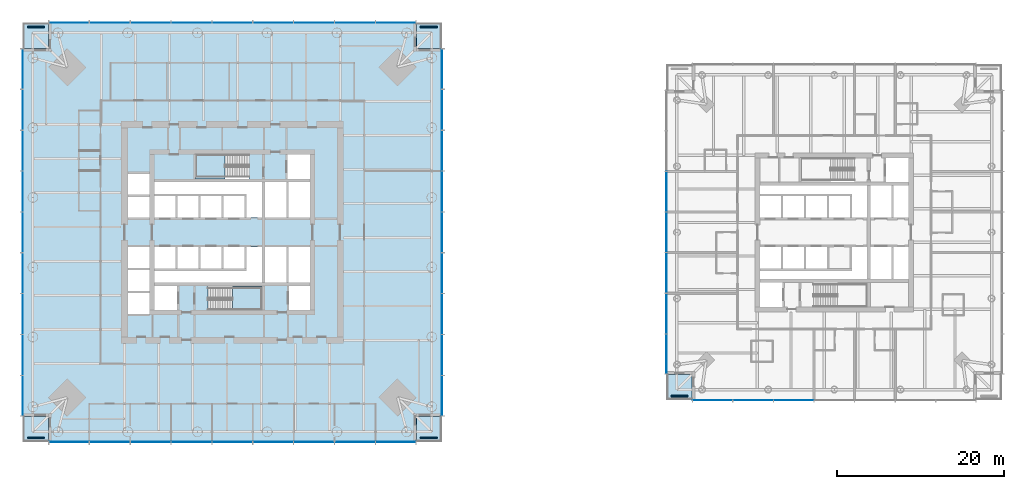
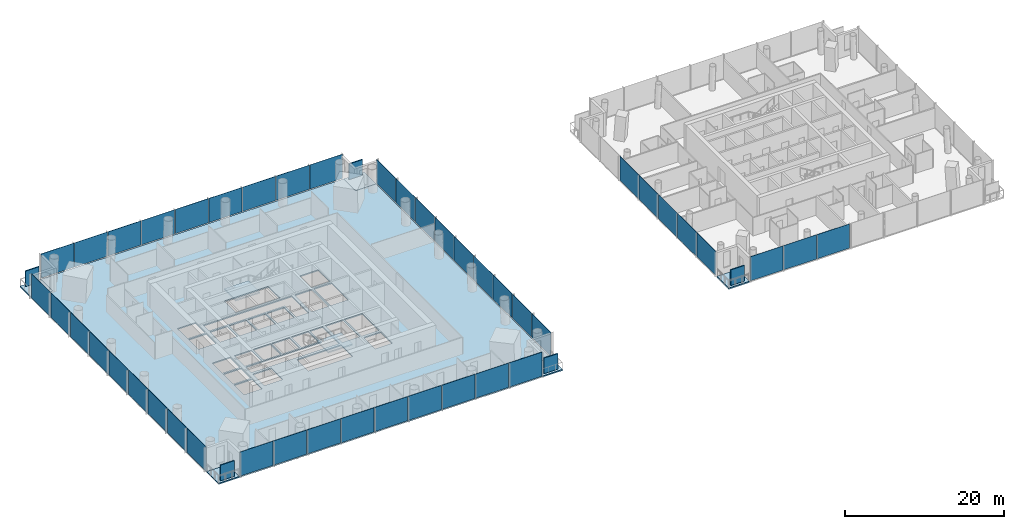
# One storey, part 7 of 19: 49 plates, 8 slabs, 8 elements without a shape of their own.
"""IFC4 building model written with IfcOpenShell, lengths in metres."""

from ifc_helpers import new_model, si_unit, direction, frame, origin, origin_2d, place, context, subcontext, project, spatial, polyline, rectangle, outline, extrude, material, layer, layer_set, type_object, element, aggregate, save


model = new_model("IFC4")

# Units and contexts
model_context = context("Model", 3, precision=1e-05, world=origin(), true_north=direction((0.0, 1.0)))
body_context = subcontext(model_context, "Body", "Model", "MODEL_VIEW")
ifc_project = project(units=[si_unit("LENGTHUNIT", "METRE"), si_unit("AREAUNIT", "SQUARE_METRE"), si_unit("VOLUMEUNIT", "CUBIC_METRE"), si_unit("PLANEANGLEUNIT", "RADIAN"), si_unit("MASSUNIT", "GRAM", prefix="KILO")], contexts=[model_context])

# Site, building, storey
site_placement = place(None, origin())
site = spatial("IfcSite", under=ifc_project, at=site_placement, CompositionType="ELEMENT")
building_placement = place(site_placement, origin())
building = spatial("IfcBuilding", under=site, at=building_placement, Name="Ostroluk Exchange", CompositionType="ELEMENT")
storey_placement = place(building_placement, frame((0.0, 0.0, 24.800048828125)))
storey = spatial("IfcBuildingStorey", under=building, at=storey_placement, Name="L05", CompositionType="ELEMENT", Elevation=24.800048828125)

# Curtain wall, plates
ifc_material_1 = material(Name="Laminated clear glass", Category="glass")
curtain_wall_type_1 = type_object("IfcCurtainWallType", Name="Hotel guest floor facade", PredefinedType="USERDEFINED", material=ifc_material_1)
curtain_wall_1_placement = place(storey_placement, origin())
curtain_wall_1 = element("IfcCurtainWall", 1, at=curtain_wall_1_placement, inside=storey, type_object=curtain_wall_type_1, Name="Hotel tower south facade L05", ObjectType="UNITISED CURTAIN WALL", PredefinedType="USERDEFINED")
ifc_material_2 = material(Name="Laminated clear glass", Category="glass")
ifc_layer_1 = layer(ifc_material_2, 0.0400390625)
ifc_layer_set_1 = layer_set([ifc_layer_1], Name="Acoustic laminated glazing 40")
plate_type_1 = type_object("IfcPlateType", Name="Acoustic laminated glazing 40", PredefinedType="CURTAIN_PANEL", material=ifc_layer_set_1)
plate_1_placement = place(storey_placement, frame((102.448486328125, 25.925048828125, 0.080078125), z_axis=(0.0, 0.0, 1.0), x_axis=(1.0, 0.0, 0.0)))
plate_1 = element("IfcPlate", 2, at=plate_1_placement, type_object=plate_type_1, Name="CW-H1 panel 1.1", PredefinedType="CURTAIN_PANEL", context=body_context, shape_type="SweptSolid", body=[
    extrude(rectangle(XDim=4.737060546875, YDim=0.0400390625, at=origin_2d()), origin(), (0.0, 0.0, 1.0), 3.719970703125),
])
plate_2_placement = place(storey_placement, frame((107.28564453125, 25.925048828125, 0.080078125), z_axis=(0.0, 0.0, 1.0), x_axis=(1.0, 0.0, 0.0)))
plate_2 = element("IfcPlate", 3, at=plate_2_placement, type_object=plate_type_1, Name="CW-H1 panel 2.1", PredefinedType="CURTAIN_PANEL", context=body_context, shape_type="SweptSolid", body=[
    extrude(rectangle(XDim=4.777099609375, YDim=0.0400390625, at=origin_2d()), origin(), (0.0, 0.0, 1.0), 3.719970703125),
])
plate_3_placement = place(storey_placement, frame((112.142822265625, 25.925048828125, 0.080078125), z_axis=(0.0, 0.0, 1.0), x_axis=(1.0, 0.0, 0.0)))
plate_3 = element("IfcPlate", 4, at=plate_3_placement, type_object=plate_type_1, Name="CW-H1 panel 3.1", PredefinedType="CURTAIN_PANEL", context=body_context, shape_type="SweptSolid", body=[
    extrude(rectangle(XDim=4.777099609375, YDim=0.0400390625, at=origin_2d()), origin(), (0.0, 0.0, 1.0), 3.719970703125),
])
aggregate(curtain_wall_1, [plate_1, plate_2, plate_3])

curtain_wall_2_placement = place(storey_placement, origin())
curtain_wall_2 = element("IfcCurtainWall", 5, at=curtain_wall_2_placement, inside=storey, type_object=curtain_wall_type_1, Name="Hotel tower west facade L05", ObjectType="UNITISED CURTAIN WALL", PredefinedType="USERDEFINED")
plate_4_placement = place(storey_placement, frame((96.925048828125, 50.857177734375, 0.080078125), z_axis=(0.0, 0.0, 1.0), x_axis=(0.0, -1.0, 0.0)))
plate_4 = element("IfcPlate", 6, at=plate_4_placement, type_object=plate_type_1, Name="CW-H1 panel 3.1", PredefinedType="CURTAIN_PANEL", context=body_context, shape_type="SweptSolid", body=[
    extrude(rectangle(XDim=4.777099609375, YDim=0.0400390625, at=origin_2d()), origin(), (0.0, 0.0, 1.0), 3.719970703125),
])
plate_5_placement = place(storey_placement, frame((96.925048828125, 46.0, 0.080078125), z_axis=(0.0, 0.0, 1.0), x_axis=(0.0, -1.0, 0.0)))
plate_5 = element("IfcPlate", 7, at=plate_5_placement, type_object=plate_type_1, Name="CW-H1 panel 4.1", PredefinedType="CURTAIN_PANEL", context=body_context, shape_type="SweptSolid", body=[
    extrude(rectangle(XDim=4.777099609375, YDim=0.0400390625, at=origin_2d()), origin(), (0.0, 0.0, 1.0), 3.719970703125),
])
plate_6_placement = place(storey_placement, frame((96.925048828125, 41.142822265625, 0.080078125), z_axis=(0.0, 0.0, 1.0), x_axis=(0.0, -1.0, 0.0)))
plate_6 = element("IfcPlate", 8, at=plate_6_placement, type_object=plate_type_1, Name="CW-H1 panel 5.1", PredefinedType="CURTAIN_PANEL", context=body_context, shape_type="SweptSolid", body=[
    extrude(rectangle(XDim=4.777099609375, YDim=0.0400390625, at=origin_2d()), origin(), (0.0, 0.0, 1.0), 3.719970703125),
])
plate_7_placement = place(storey_placement, frame((96.925048828125, 36.28564453125, 0.080078125), z_axis=(0.0, 0.0, 1.0), x_axis=(0.0, -1.0, 0.0)))
plate_7 = element("IfcPlate", 9, at=plate_7_placement, type_object=plate_type_1, Name="CW-H1 panel 6.1", PredefinedType="CURTAIN_PANEL", context=body_context, shape_type="SweptSolid", body=[
    extrude(rectangle(XDim=4.777099609375, YDim=0.0400390625, at=origin_2d()), origin(), (0.0, 0.0, 1.0), 3.719970703125),
])
plate_8_placement = place(storey_placement, frame((96.925048828125, 31.448486328125, 0.080078125), z_axis=(0.0, 0.0, 1.0), x_axis=(0.0, -1.0, 0.0)))
plate_8 = element("IfcPlate", 10, at=plate_8_placement, type_object=plate_type_1, Name="CW-H1 panel 7.1", PredefinedType="CURTAIN_PANEL", context=body_context, shape_type="SweptSolid", body=[
    extrude(rectangle(XDim=4.737060546875, YDim=0.0400390625, at=origin_2d()), origin(), (0.0, 0.0, 1.0), 3.719970703125),
])
aggregate(curtain_wall_2, [plate_4, plate_5, plate_6, plate_7, plate_8])

# Slabs
ifc_material_3 = material(Name="Concrete C35/45", Category="concrete")
ifc_layer_2 = layer(ifc_material_3, 0.179931640625)
ifc_layer_set_2 = layer_set([ifc_layer_2], Name="Balcony slab 180")
slab_type_1 = type_object("IfcSlabType", Name="Balcony slab 180", PredefinedType="USERDEFINED", material=ifc_layer_set_2)
slab_1_placement = place(storey_placement, frame((0.0, 0.0, -0.179931640625)))
element("IfcSlab", 11, at=slab_1_placement, inside=storey, type_object=slab_type_1, Name="Office tower SE corner balcony L05", ObjectType="BALCONY", PredefinedType="USERDEFINED", context=body_context, shape_type="SweptSolid", body=[
    extrude(outline(polyline([(67.0, 21.0), (70.0, 21.0), (70.0, 24.0), (67.0, 24.0), (67.0, 21.0)])), origin(), (0.0, 0.0, 1.0), 0.179931640625),
])
slab_2_placement = place(storey_placement, frame((0.0, 0.0, -0.179931640625)))
element("IfcSlab", 12, at=slab_2_placement, inside=storey, type_object=slab_type_1, Name="Office tower NE corner balcony L05", ObjectType="BALCONY", PredefinedType="USERDEFINED", context=body_context, shape_type="SweptSolid", body=[
    extrude(outline(polyline([(67.0, 68.0), (70.0, 68.0), (70.0, 71.0), (67.0, 71.0), (67.0, 68.0)])), origin(), (0.0, 0.0, 1.0), 0.179931640625),
])
slab_3_placement = place(storey_placement, frame((0.0, 0.0, -0.179931640625)))
element("IfcSlab", 13, at=slab_3_placement, inside=storey, type_object=slab_type_1, Name="Office tower NW corner balcony L05", ObjectType="BALCONY", PredefinedType="USERDEFINED", context=body_context, shape_type="SweptSolid", body=[
    extrude(outline(polyline([(20.0, 68.0), (23.0, 68.0), (23.0, 71.0), (20.0, 71.0), (20.0, 68.0)])), origin(), (0.0, 0.0, 1.0), 0.179931640625),
])
slab_4_placement = place(storey_placement, frame((0.0, 0.0, -0.179931640625)))
element("IfcSlab", 14, at=slab_4_placement, inside=storey, type_object=slab_type_1, Name="Office tower SW corner balcony L05", ObjectType="BALCONY", PredefinedType="USERDEFINED", context=body_context, shape_type="SweptSolid", body=[
    extrude(outline(polyline([(20.0, 21.0), (23.0, 21.0), (23.0, 24.0), (20.0, 24.0), (20.0, 21.0)])), origin(), (0.0, 0.0, 1.0), 0.179931640625),
])
ifc_material_4 = material(Name="Concrete C35/45", Category="concrete")
ifc_layer_3 = layer(ifc_material_4, 0.199951171875)
ifc_layer_set_3 = layer_set([ifc_layer_3], Name="Balcony slab 200")
slab_type_2 = type_object("IfcSlabType", Name="Balcony slab 200", PredefinedType="USERDEFINED", material=ifc_layer_set_3)
slab_5_placement = place(storey_placement, frame((0.0, 0.0, -0.199951171875)))
element("IfcSlab", 15, at=slab_5_placement, inside=storey, type_object=slab_type_2, Name="Hotel tower SW corner balcony L05", ObjectType="BALCONY", PredefinedType="USERDEFINED", context=body_context, shape_type="SweptSolid", body=[
    extrude(outline(polyline([(97.0, 26.0), (100.0, 26.0), (100.0, 29.0), (97.0, 29.0), (97.0, 26.0)])), origin(), (0.0, 0.0, 1.0), 0.199951171875),
])

# Plates
ifc_material_5 = material(Name="Steel S355 trellis with planting", Category="steel")
ifc_layer_4 = layer(ifc_material_5, 0.14990234375)
ifc_layer_set_4 = layer_set([ifc_layer_4], Name="Planted screen 150")
plate_type_2 = type_object("IfcPlateType", Name="Planted screen 150", PredefinedType="USERDEFINED", material=ifc_layer_set_4)
for number, where, z_axis, x_axis, name in (
    (16, (68.5, 21.425048828125, 0.0), (0.0, 0.0, 1.0), (1.0, 0.0, 0.0), "Office tower SE planted screen L05"),
    (17, (68.5, 70.574951171875, 0.0), (0.0, 0.0, 1.0), (1.0, 0.0, 0.0), "Office tower NE planted screen L05"),
    (18, (21.5, 70.574951171875, 0.0), (0.0, 0.0, 1.0), (1.0, 0.0, 0.0), "Office tower NW planted screen L05"),
    (19, (21.5, 21.425048828125, 0.0), (0.0, 0.0, 1.0), (1.0, 0.0, 0.0), "Office tower SW planted screen L05"),
    (20, (98.5, 26.425048828125, 0.0), (0.0, 0.0, 1.0), (1.0, 0.0, 0.0), "Hotel tower SW planted screen L05"),
):
    element("IfcPlate", number, at=place(storey_placement, frame(where, z_axis=z_axis, x_axis=x_axis)), inside=storey, type_object=plate_type_2, Name=name, ObjectType="PLANTED SCREEN", PredefinedType="USERDEFINED", context=body_context, shape_type="SweptSolid", body=[
        extrude(rectangle(XDim=2.0, YDim=0.14990234375, at=origin_2d()), origin(), (0.0, 0.0, 1.0), 2.39990234375),
    ])

# Stair, slab
ifc_material_6 = material(Name="Concrete C30/37", Category="concrete")
stair_type = type_object("IfcStairType", Name="Exit stair half turn 3800", PredefinedType="HALF_TURN_STAIR", material=ifc_material_6)
stair_1_placement = place(storey_placement, origin())
stair_1 = element("IfcStair", 21, at=stair_1_placement, inside=storey, type_object=stair_type, Name="Stair T1-S1 L05", PredefinedType="HALF_TURN_STAIR")
ifc_material_7 = material(Name="Concrete C30/37", Category="concrete")
ifc_layer_5 = layer(ifc_material_7, 0.199951171875)
ifc_layer_set_5 = layer_set([ifc_layer_5], Name="Stair landing 200")
slab_type_3 = type_object("IfcSlabType", Name="Stair landing 200", PredefinedType="LANDING", material=ifc_layer_set_5)
slab_6_placement = place(storey_placement, frame((0.0, 0.0, 1.699951171875)))
slab_6 = element("IfcSlab", 22, at=slab_6_placement, type_object=slab_type_3, Name="T1-S1 landing 1", PredefinedType="LANDING", context=body_context, shape_type="SweptSolid", body=[
    extrude(outline(polyline([(45.0, 36.699951171875), (45.0, 39.60009765625), (48.530029296875, 39.60009765625), (48.530029296875, 36.699951171875), (45.0, 36.699951171875)])), origin(), (0.0, 0.0, 1.0), 0.199951171875),
])
aggregate(stair_1, [slab_6])

stair_2_placement = place(storey_placement, origin())
stair_2 = element("IfcStair", 23, at=stair_2_placement, inside=storey, type_object=stair_type, Name="Stair T1-S2 L05", PredefinedType="HALF_TURN_STAIR")
slab_7_placement = place(storey_placement, frame((0.0, 0.0, 1.699951171875)))
slab_7 = element("IfcSlab", 24, at=slab_7_placement, type_object=slab_type_3, Name="T1-S2 landing 1", PredefinedType="LANDING", context=body_context, shape_type="SweptSolid", body=[
    extrude(outline(polyline([(44.1298828125, 52.39990234375), (44.1298828125, 55.300048828125), (40.60009765625, 55.300048828125), (40.60009765625, 52.39990234375), (44.1298828125, 52.39990234375)])), origin(), (0.0, 0.0, 1.0), 0.199951171875),
])
aggregate(stair_2, [slab_7])

# Slab
ifc_material_8 = material(Name="Concrete C35/45", Category="concrete")
ifc_layer_6 = layer(ifc_material_8, 0.179931640625)
ifc_layer_set_6 = layer_set([ifc_layer_6], Name="Tower floor slab 180 composite")
slab_type_4 = type_object("IfcSlabType", Name="Tower floor slab 180 composite", PredefinedType="FLOOR", material=ifc_layer_set_6)
slab_8_placement = place(storey_placement, frame((0.0, 0.0, -0.179931640625)))
element("IfcSlab", 25, at=slab_8_placement, inside=storey, type_object=slab_type_4, Name="Office tower floor slab L05", PredefinedType="FLOOR", context=body_context, shape_type="SweptSolid", body=[
    extrude(outline(polyline([(23.0, 21.0), (67.0, 21.0), (67.0, 24.0), (70.0, 24.0), (70.0, 68.0), (67.0, 68.0), (67.0, 71.0), (23.0, 71.0), (23.0, 68.0), (20.0, 68.0), (20.0, 24.0), (23.0, 24.0), (23.0, 21.0)]), holes=[polyline([(35.699951171875, 36.699951171875), (38.39990234375, 36.699951171875), (38.39990234375, 39.60009765625), (35.699951171875, 39.60009765625), (35.699951171875, 36.699951171875)]), polyline([(42.110107421875, 36.699951171875), (48.530029296875, 36.699951171875), (48.530029296875, 39.60009765625), (42.110107421875, 39.60009765625), (42.110107421875, 36.699951171875)]), polyline([(51.800048828125, 36.699951171875), (54.300048828125, 36.699951171875), (54.300048828125, 39.60009765625), (51.800048828125, 39.60009765625), (51.800048828125, 36.699951171875)]), polyline([(40.60009765625, 52.39990234375), (47.02001953125, 52.39990234375), (47.02001953125, 55.300048828125), (40.60009765625, 55.300048828125), (40.60009765625, 52.39990234375)]), polyline([(51.60009765625, 52.39990234375), (54.300048828125, 52.39990234375), (54.300048828125, 55.300048828125), (51.60009765625, 55.300048828125), (51.60009765625, 52.39990234375)]), polyline([(35.699951171875, 47.75), (38.199951171875, 47.75), (38.199951171875, 50.35009765625), (35.699951171875, 50.35009765625), (35.699951171875, 47.75)]), polyline([(38.449951171875, 47.75), (40.949951171875, 47.75), (40.949951171875, 50.35009765625), (38.449951171875, 50.35009765625), (38.449951171875, 47.75)]), polyline([(41.199951171875, 47.75), (43.699951171875, 47.75), (43.699951171875, 50.35009765625), (41.199951171875, 50.35009765625), (41.199951171875, 47.75)]), polyline([(43.949951171875, 47.75), (46.449951171875, 47.75), (46.449951171875, 50.35009765625), (43.949951171875, 50.35009765625), (43.949951171875, 47.75)]), polyline([(35.699951171875, 41.64990234375), (38.199951171875, 41.64990234375), (38.199951171875, 44.25), (35.699951171875, 44.25), (35.699951171875, 41.64990234375)]), polyline([(38.449951171875, 41.64990234375), (40.949951171875, 41.64990234375), (40.949951171875, 44.25), (38.449951171875, 44.25), (38.449951171875, 41.64990234375)]), polyline([(41.199951171875, 41.64990234375), (43.699951171875, 41.64990234375), (43.699951171875, 44.25), (41.199951171875, 44.25), (41.199951171875, 41.64990234375)]), polyline([(43.949951171875, 41.64990234375), (46.449951171875, 41.64990234375), (46.449951171875, 44.25), (43.949951171875, 44.25), (43.949951171875, 41.64990234375)]), polyline([(48.929931640625, 47.75), (51.489990234375, 47.75), (51.489990234375, 52.0), (48.929931640625, 52.0), (48.929931640625, 47.75)]), polyline([(51.739990234375, 47.75), (54.300048828125, 47.75), (54.300048828125, 52.0), (51.739990234375, 52.0), (51.739990234375, 47.75)]), polyline([(48.929931640625, 40.0), (51.489990234375, 40.0), (51.489990234375, 44.25), (48.929931640625, 44.25), (48.929931640625, 40.0)]), polyline([(51.739990234375, 40.0), (54.300048828125, 40.0), (54.300048828125, 44.25), (51.739990234375, 44.25), (51.739990234375, 40.0)]), polyline([(48.530029296875, 52.0), (48.530029296875, 47.75), (46.699951171875, 47.75), (46.699951171875, 50.60009765625), (35.699951171875, 50.60009765625), (35.699951171875, 52.0), (48.530029296875, 52.0)]), polyline([(35.699951171875, 40.0), (35.699951171875, 41.39990234375), (46.699951171875, 41.39990234375), (46.699951171875, 44.25), (48.530029296875, 44.25), (48.530029296875, 40.0), (35.699951171875, 40.0)]), polyline([(32.5, 36.25), (35.10009765625, 36.25), (35.10009765625, 38.75), (32.5, 38.75), (32.5, 36.25)]), polyline([(32.5, 39.0), (35.10009765625, 39.0), (35.10009765625, 41.5), (32.5, 41.5), (32.5, 39.0)]), polyline([(32.5, 41.75), (35.10009765625, 41.75), (35.10009765625, 44.25), (32.5, 44.25), (32.5, 41.75)]), polyline([(32.5, 47.75), (35.10009765625, 47.75), (35.10009765625, 50.25), (32.5, 50.25), (32.5, 47.75)]), polyline([(32.5, 50.5), (35.10009765625, 50.5), (35.10009765625, 53.0), (32.5, 53.0), (32.5, 50.5)])]), origin(), (0.0, 0.0, 1.0), 0.179931640625),
])

# Curtain wall, plates
ifc_material_9 = material(Name="Laminated clear glass", Category="glass")
curtain_wall_type_2 = type_object("IfcCurtainWallType", Name="Office tower facade", PredefinedType="USERDEFINED", material=ifc_material_9)
curtain_wall_3_placement = place(storey_placement, origin())
curtain_wall_3 = element("IfcCurtainWall", 26, at=curtain_wall_3_placement, inside=storey, type_object=curtain_wall_type_2, Name="Office tower south facade L05", ObjectType="UNITISED CURTAIN WALL", PredefinedType="USERDEFINED")
ifc_material_10 = material(Name="Laminated clear glass", Category="glass")
ifc_layer_7 = layer(ifc_material_10, 0.0439453125)
ifc_layer_set_7 = layer_set([ifc_layer_7], Name="Triple laminated clear glazing 44")
plate_type_3 = type_object("IfcPlateType", Name="Triple laminated clear glazing 44", PredefinedType="CURTAIN_PANEL", material=ifc_layer_set_7)
plate_9_placement = place(storey_placement, frame((25.46435546875, 20.925048828125, 0.080078125), z_axis=(0.0, 0.0, 1.0), x_axis=(1.0, 0.0, 0.0)))
plate_9 = element("IfcPlate", 27, at=plate_9_placement, type_object=plate_type_3, Name="CW-O1 panel 1.1", PredefinedType="CURTAIN_PANEL", context=body_context, shape_type="SweptSolid", body=[
    extrude(rectangle(XDim=4.768798828125, YDim=0.0439453125, at=origin_2d()), origin(), (0.0, 0.0, 1.0), 3.719970703125),
])
plate_10_placement = place(storey_placement, frame((30.333251953125, 20.925048828125, 0.080078125), z_axis=(0.0, 0.0, 1.0), x_axis=(1.0, 0.0, 0.0)))
plate_10 = element("IfcPlate", 28, at=plate_10_placement, type_object=plate_type_3, Name="CW-O1 panel 2.1", PredefinedType="CURTAIN_PANEL", context=body_context, shape_type="SweptSolid", body=[
    extrude(rectangle(XDim=4.808837890625, YDim=0.0439453125, at=origin_2d()), origin(), (0.0, 0.0, 1.0), 3.719970703125),
])
plate_11_placement = place(storey_placement, frame((35.22216796875, 20.925048828125, 0.080078125), z_axis=(0.0, 0.0, 1.0), x_axis=(1.0, 0.0, 0.0)))
plate_11 = element("IfcPlate", 29, at=plate_11_placement, type_object=plate_type_3, Name="CW-O1 panel 3.1", PredefinedType="CURTAIN_PANEL", context=body_context, shape_type="SweptSolid", body=[
    extrude(rectangle(XDim=4.808837890625, YDim=0.0439453125, at=origin_2d()), origin(), (0.0, 0.0, 1.0), 3.719970703125),
])
plate_12_placement = place(storey_placement, frame((40.111083984375, 20.925048828125, 0.080078125), z_axis=(0.0, 0.0, 1.0), x_axis=(1.0, 0.0, 0.0)))
plate_12 = element("IfcPlate", 30, at=plate_12_placement, type_object=plate_type_3, Name="CW-O1 panel 4.1", PredefinedType="CURTAIN_PANEL", context=body_context, shape_type="SweptSolid", body=[
    extrude(rectangle(XDim=4.808837890625, YDim=0.0439453125, at=origin_2d()), origin(), (0.0, 0.0, 1.0), 3.719970703125),
])
plate_13_placement = place(storey_placement, frame((45.0, 20.925048828125, 0.080078125), z_axis=(0.0, 0.0, 1.0), x_axis=(1.0, 0.0, 0.0)))
plate_13 = element("IfcPlate", 31, at=plate_13_placement, type_object=plate_type_3, Name="CW-O1 panel 5.1", PredefinedType="CURTAIN_PANEL", context=body_context, shape_type="SweptSolid", body=[
    extrude(rectangle(XDim=4.808837890625, YDim=0.0439453125, at=origin_2d()), origin(), (0.0, 0.0, 1.0), 3.719970703125),
])
plate_14_placement = place(storey_placement, frame((49.888916015625, 20.925048828125, 0.080078125), z_axis=(0.0, 0.0, 1.0), x_axis=(1.0, 0.0, 0.0)))
plate_14 = element("IfcPlate", 32, at=plate_14_placement, type_object=plate_type_3, Name="CW-O1 panel 6.1", PredefinedType="CURTAIN_PANEL", context=body_context, shape_type="SweptSolid", body=[
    extrude(rectangle(XDim=4.808837890625, YDim=0.0439453125, at=origin_2d()), origin(), (0.0, 0.0, 1.0), 3.719970703125),
])
plate_15_placement = place(storey_placement, frame((54.77783203125, 20.925048828125, 0.080078125), z_axis=(0.0, 0.0, 1.0), x_axis=(1.0, 0.0, 0.0)))
plate_15 = element("IfcPlate", 33, at=plate_15_placement, type_object=plate_type_3, Name="CW-O1 panel 7.1", PredefinedType="CURTAIN_PANEL", context=body_context, shape_type="SweptSolid", body=[
    extrude(rectangle(XDim=4.808837890625, YDim=0.0439453125, at=origin_2d()), origin(), (0.0, 0.0, 1.0), 3.719970703125),
])
plate_16_placement = place(storey_placement, frame((59.666748046875, 20.925048828125, 0.080078125), z_axis=(0.0, 0.0, 1.0), x_axis=(1.0, 0.0, 0.0)))
plate_16 = element("IfcPlate", 34, at=plate_16_placement, type_object=plate_type_3, Name="CW-O1 panel 8.1", PredefinedType="CURTAIN_PANEL", context=body_context, shape_type="SweptSolid", body=[
    extrude(rectangle(XDim=4.808837890625, YDim=0.0439453125, at=origin_2d()), origin(), (0.0, 0.0, 1.0), 3.719970703125),
])
plate_17_placement = place(storey_placement, frame((64.53564453125, 20.925048828125, 0.080078125), z_axis=(0.0, 0.0, 1.0), x_axis=(1.0, 0.0, 0.0)))
plate_17 = element("IfcPlate", 35, at=plate_17_placement, type_object=plate_type_3, Name="CW-O1 panel 9.1", PredefinedType="CURTAIN_PANEL", context=body_context, shape_type="SweptSolid", body=[
    extrude(rectangle(XDim=4.768798828125, YDim=0.0439453125, at=origin_2d()), origin(), (0.0, 0.0, 1.0), 3.719970703125),
])
aggregate(curtain_wall_3, [plate_9, plate_10, plate_11, plate_12, plate_13, plate_14, plate_15, plate_16, plate_17])

curtain_wall_4_placement = place(storey_placement, origin())
curtain_wall_4 = element("IfcCurtainWall", 36, at=curtain_wall_4_placement, inside=storey, type_object=curtain_wall_type_2, Name="Office tower east facade L05", ObjectType="UNITISED CURTAIN WALL", PredefinedType="USERDEFINED")
plate_18_placement = place(storey_placement, frame((70.074951171875, 26.46435546875, 0.080078125), z_axis=(0.0, 0.0, 1.0), x_axis=(0.0, 1.0, 0.0)))
plate_18 = element("IfcPlate", 37, at=plate_18_placement, type_object=plate_type_3, Name="CW-O1 panel 1.1", PredefinedType="CURTAIN_PANEL", context=body_context, shape_type="SweptSolid", body=[
    extrude(rectangle(XDim=4.768798828125, YDim=0.0439453125, at=origin_2d()), origin(), (0.0, 0.0, 1.0), 3.719970703125),
])
plate_19_placement = place(storey_placement, frame((70.074951171875, 31.333251953125, 0.080078125), z_axis=(0.0, 0.0, 1.0), x_axis=(0.0, 1.0, 0.0)))
plate_19 = element("IfcPlate", 38, at=plate_19_placement, type_object=plate_type_3, Name="CW-O1 panel 2.1", PredefinedType="CURTAIN_PANEL", context=body_context, shape_type="SweptSolid", body=[
    extrude(rectangle(XDim=4.808837890625, YDim=0.0439453125, at=origin_2d()), origin(), (0.0, 0.0, 1.0), 3.719970703125),
])
plate_20_placement = place(storey_placement, frame((70.074951171875, 36.22216796875, 0.080078125), z_axis=(0.0, 0.0, 1.0), x_axis=(0.0, 1.0, 0.0)))
plate_20 = element("IfcPlate", 39, at=plate_20_placement, type_object=plate_type_3, Name="CW-O1 panel 3.1", PredefinedType="CURTAIN_PANEL", context=body_context, shape_type="SweptSolid", body=[
    extrude(rectangle(XDim=4.808837890625, YDim=0.0439453125, at=origin_2d()), origin(), (0.0, 0.0, 1.0), 3.719970703125),
])
plate_21_placement = place(storey_placement, frame((70.074951171875, 41.111083984375, 0.080078125), z_axis=(0.0, 0.0, 1.0), x_axis=(0.0, 1.0, 0.0)))
plate_21 = element("IfcPlate", 40, at=plate_21_placement, type_object=plate_type_3, Name="CW-O1 panel 4.1", PredefinedType="CURTAIN_PANEL", context=body_context, shape_type="SweptSolid", body=[
    extrude(rectangle(XDim=4.808837890625, YDim=0.0439453125, at=origin_2d()), origin(), (0.0, 0.0, 1.0), 3.719970703125),
])
plate_22_placement = place(storey_placement, frame((70.074951171875, 46.0, 0.080078125), z_axis=(0.0, 0.0, 1.0), x_axis=(0.0, 1.0, 0.0)))
plate_22 = element("IfcPlate", 41, at=plate_22_placement, type_object=plate_type_3, Name="CW-O1 panel 5.1", PredefinedType="CURTAIN_PANEL", context=body_context, shape_type="SweptSolid", body=[
    extrude(rectangle(XDim=4.808837890625, YDim=0.0439453125, at=origin_2d()), origin(), (0.0, 0.0, 1.0), 3.719970703125),
])
plate_23_placement = place(storey_placement, frame((70.074951171875, 50.888916015625, 0.080078125), z_axis=(0.0, 0.0, 1.0), x_axis=(0.0, 1.0, 0.0)))
plate_23 = element("IfcPlate", 42, at=plate_23_placement, type_object=plate_type_3, Name="CW-O1 panel 6.1", PredefinedType="CURTAIN_PANEL", context=body_context, shape_type="SweptSolid", body=[
    extrude(rectangle(XDim=4.808837890625, YDim=0.0439453125, at=origin_2d()), origin(), (0.0, 0.0, 1.0), 3.719970703125),
])
plate_24_placement = place(storey_placement, frame((70.074951171875, 55.77783203125, 0.080078125), z_axis=(0.0, 0.0, 1.0), x_axis=(0.0, 1.0, 0.0)))
plate_24 = element("IfcPlate", 43, at=plate_24_placement, type_object=plate_type_3, Name="CW-O1 panel 7.1", PredefinedType="CURTAIN_PANEL", context=body_context, shape_type="SweptSolid", body=[
    extrude(rectangle(XDim=4.808837890625, YDim=0.0439453125, at=origin_2d()), origin(), (0.0, 0.0, 1.0), 3.719970703125),
])
plate_25_placement = place(storey_placement, frame((70.074951171875, 60.666748046875, 0.080078125), z_axis=(0.0, 0.0, 1.0), x_axis=(0.0, 1.0, 0.0)))
plate_25 = element("IfcPlate", 44, at=plate_25_placement, type_object=plate_type_3, Name="CW-O1 panel 8.1", PredefinedType="CURTAIN_PANEL", context=body_context, shape_type="SweptSolid", body=[
    extrude(rectangle(XDim=4.808837890625, YDim=0.0439453125, at=origin_2d()), origin(), (0.0, 0.0, 1.0), 3.719970703125),
])
plate_26_placement = place(storey_placement, frame((70.074951171875, 65.53564453125, 0.080078125), z_axis=(0.0, 0.0, 1.0), x_axis=(0.0, 1.0, 0.0)))
plate_26 = element("IfcPlate", 45, at=plate_26_placement, type_object=plate_type_3, Name="CW-O1 panel 9.1", PredefinedType="CURTAIN_PANEL", context=body_context, shape_type="SweptSolid", body=[
    extrude(rectangle(XDim=4.768798828125, YDim=0.0439453125, at=origin_2d()), origin(), (0.0, 0.0, 1.0), 3.719970703125),
])
aggregate(curtain_wall_4, [plate_18, plate_19, plate_20, plate_21, plate_22, plate_23, plate_24, plate_25, plate_26])

curtain_wall_5_placement = place(storey_placement, origin())
curtain_wall_5 = element("IfcCurtainWall", 46, at=curtain_wall_5_placement, inside=storey, type_object=curtain_wall_type_2, Name="Office tower north facade L05", ObjectType="UNITISED CURTAIN WALL", PredefinedType="USERDEFINED")
plate_27_placement = place(storey_placement, frame((64.53564453125, 71.074951171875, 0.080078125), z_axis=(0.0, 0.0, 1.0), x_axis=(-1.0, 0.0, 0.0)))
plate_27 = element("IfcPlate", 47, at=plate_27_placement, type_object=plate_type_3, Name="CW-O1 panel 1.1", PredefinedType="CURTAIN_PANEL", context=body_context, shape_type="SweptSolid", body=[
    extrude(rectangle(XDim=4.768798828125, YDim=0.0439453125, at=origin_2d()), origin(), (0.0, 0.0, 1.0), 3.719970703125),
])
plate_28_placement = place(storey_placement, frame((59.666748046875, 71.074951171875, 0.080078125), z_axis=(0.0, 0.0, 1.0), x_axis=(-1.0, 0.0, 0.0)))
plate_28 = element("IfcPlate", 48, at=plate_28_placement, type_object=plate_type_3, Name="CW-O1 panel 2.1", PredefinedType="CURTAIN_PANEL", context=body_context, shape_type="SweptSolid", body=[
    extrude(rectangle(XDim=4.808837890625, YDim=0.0439453125, at=origin_2d()), origin(), (0.0, 0.0, 1.0), 3.719970703125),
])
plate_29_placement = place(storey_placement, frame((54.77783203125, 71.074951171875, 0.080078125), z_axis=(0.0, 0.0, 1.0), x_axis=(-1.0, 0.0, 0.0)))
plate_29 = element("IfcPlate", 49, at=plate_29_placement, type_object=plate_type_3, Name="CW-O1 panel 3.1", PredefinedType="CURTAIN_PANEL", context=body_context, shape_type="SweptSolid", body=[
    extrude(rectangle(XDim=4.808837890625, YDim=0.0439453125, at=origin_2d()), origin(), (0.0, 0.0, 1.0), 3.719970703125),
])
plate_30_placement = place(storey_placement, frame((49.888916015625, 71.074951171875, 0.080078125), z_axis=(0.0, 0.0, 1.0), x_axis=(-1.0, 0.0, 0.0)))
plate_30 = element("IfcPlate", 50, at=plate_30_placement, type_object=plate_type_3, Name="CW-O1 panel 4.1", PredefinedType="CURTAIN_PANEL", context=body_context, shape_type="SweptSolid", body=[
    extrude(rectangle(XDim=4.808837890625, YDim=0.0439453125, at=origin_2d()), origin(), (0.0, 0.0, 1.0), 3.719970703125),
])
plate_31_placement = place(storey_placement, frame((45.0, 71.074951171875, 0.080078125), z_axis=(0.0, 0.0, 1.0), x_axis=(-1.0, 0.0, 0.0)))
plate_31 = element("IfcPlate", 51, at=plate_31_placement, type_object=plate_type_3, Name="CW-O1 panel 5.1", PredefinedType="CURTAIN_PANEL", context=body_context, shape_type="SweptSolid", body=[
    extrude(rectangle(XDim=4.808837890625, YDim=0.0439453125, at=origin_2d()), origin(), (0.0, 0.0, 1.0), 3.719970703125),
])
plate_32_placement = place(storey_placement, frame((40.111083984375, 71.074951171875, 0.080078125), z_axis=(0.0, 0.0, 1.0), x_axis=(-1.0, 0.0, 0.0)))
plate_32 = element("IfcPlate", 52, at=plate_32_placement, type_object=plate_type_3, Name="CW-O1 panel 6.1", PredefinedType="CURTAIN_PANEL", context=body_context, shape_type="SweptSolid", body=[
    extrude(rectangle(XDim=4.808837890625, YDim=0.0439453125, at=origin_2d()), origin(), (0.0, 0.0, 1.0), 3.719970703125),
])
plate_33_placement = place(storey_placement, frame((35.22216796875, 71.074951171875, 0.080078125), z_axis=(0.0, 0.0, 1.0), x_axis=(-1.0, 0.0, 0.0)))
plate_33 = element("IfcPlate", 53, at=plate_33_placement, type_object=plate_type_3, Name="CW-O1 panel 7.1", PredefinedType="CURTAIN_PANEL", context=body_context, shape_type="SweptSolid", body=[
    extrude(rectangle(XDim=4.808837890625, YDim=0.0439453125, at=origin_2d()), origin(), (0.0, 0.0, 1.0), 3.719970703125),
])
plate_34_placement = place(storey_placement, frame((30.333251953125, 71.074951171875, 0.080078125), z_axis=(0.0, 0.0, 1.0), x_axis=(-1.0, 0.0, 0.0)))
plate_34 = element("IfcPlate", 54, at=plate_34_placement, type_object=plate_type_3, Name="CW-O1 panel 8.1", PredefinedType="CURTAIN_PANEL", context=body_context, shape_type="SweptSolid", body=[
    extrude(rectangle(XDim=4.808837890625, YDim=0.0439453125, at=origin_2d()), origin(), (0.0, 0.0, 1.0), 3.719970703125),
])
plate_35_placement = place(storey_placement, frame((25.46435546875, 71.074951171875, 0.080078125), z_axis=(0.0, 0.0, 1.0), x_axis=(-1.0, 0.0, 0.0)))
plate_35 = element("IfcPlate", 55, at=plate_35_placement, type_object=plate_type_3, Name="CW-O1 panel 9.1", PredefinedType="CURTAIN_PANEL", context=body_context, shape_type="SweptSolid", body=[
    extrude(rectangle(XDim=4.768798828125, YDim=0.0439453125, at=origin_2d()), origin(), (0.0, 0.0, 1.0), 3.719970703125),
])
aggregate(curtain_wall_5, [plate_27, plate_28, plate_29, plate_30, plate_31, plate_32, plate_33, plate_34, plate_35])

curtain_wall_6_placement = place(storey_placement, origin())
curtain_wall_6 = element("IfcCurtainWall", 56, at=curtain_wall_6_placement, inside=storey, type_object=curtain_wall_type_2, Name="Office tower west facade L05", ObjectType="UNITISED CURTAIN WALL", PredefinedType="USERDEFINED")
plate_36_placement = place(storey_placement, frame((19.925048828125, 65.53564453125, 0.080078125), z_axis=(0.0, 0.0, 1.0), x_axis=(0.0, -1.0, 0.0)))
plate_36 = element("IfcPlate", 57, at=plate_36_placement, type_object=plate_type_3, Name="CW-O1 panel 1.1", PredefinedType="CURTAIN_PANEL", context=body_context, shape_type="SweptSolid", body=[
    extrude(rectangle(XDim=4.768798828125, YDim=0.0439453125, at=origin_2d()), origin(), (0.0, 0.0, 1.0), 3.719970703125),
])
plate_37_placement = place(storey_placement, frame((19.925048828125, 60.666748046875, 0.080078125), z_axis=(0.0, 0.0, 1.0), x_axis=(0.0, -1.0, 0.0)))
plate_37 = element("IfcPlate", 58, at=plate_37_placement, type_object=plate_type_3, Name="CW-O1 panel 2.1", PredefinedType="CURTAIN_PANEL", context=body_context, shape_type="SweptSolid", body=[
    extrude(rectangle(XDim=4.808837890625, YDim=0.0439453125, at=origin_2d()), origin(), (0.0, 0.0, 1.0), 3.719970703125),
])
plate_38_placement = place(storey_placement, frame((19.925048828125, 55.77783203125, 0.080078125), z_axis=(0.0, 0.0, 1.0), x_axis=(0.0, -1.0, 0.0)))
plate_38 = element("IfcPlate", 59, at=plate_38_placement, type_object=plate_type_3, Name="CW-O1 panel 3.1", PredefinedType="CURTAIN_PANEL", context=body_context, shape_type="SweptSolid", body=[
    extrude(rectangle(XDim=4.808837890625, YDim=0.0439453125, at=origin_2d()), origin(), (0.0, 0.0, 1.0), 3.719970703125),
])
plate_39_placement = place(storey_placement, frame((19.925048828125, 50.888916015625, 0.080078125), z_axis=(0.0, 0.0, 1.0), x_axis=(0.0, -1.0, 0.0)))
plate_39 = element("IfcPlate", 60, at=plate_39_placement, type_object=plate_type_3, Name="CW-O1 panel 4.1", PredefinedType="CURTAIN_PANEL", context=body_context, shape_type="SweptSolid", body=[
    extrude(rectangle(XDim=4.808837890625, YDim=0.0439453125, at=origin_2d()), origin(), (0.0, 0.0, 1.0), 3.719970703125),
])
plate_40_placement = place(storey_placement, frame((19.925048828125, 46.0, 0.080078125), z_axis=(0.0, 0.0, 1.0), x_axis=(0.0, -1.0, 0.0)))
plate_40 = element("IfcPlate", 61, at=plate_40_placement, type_object=plate_type_3, Name="CW-O1 panel 5.1", PredefinedType="CURTAIN_PANEL", context=body_context, shape_type="SweptSolid", body=[
    extrude(rectangle(XDim=4.808837890625, YDim=0.0439453125, at=origin_2d()), origin(), (0.0, 0.0, 1.0), 3.719970703125),
])
plate_41_placement = place(storey_placement, frame((19.925048828125, 41.111083984375, 0.080078125), z_axis=(0.0, 0.0, 1.0), x_axis=(0.0, -1.0, 0.0)))
plate_41 = element("IfcPlate", 62, at=plate_41_placement, type_object=plate_type_3, Name="CW-O1 panel 6.1", PredefinedType="CURTAIN_PANEL", context=body_context, shape_type="SweptSolid", body=[
    extrude(rectangle(XDim=4.808837890625, YDim=0.0439453125, at=origin_2d()), origin(), (0.0, 0.0, 1.0), 3.719970703125),
])
plate_42_placement = place(storey_placement, frame((19.925048828125, 36.22216796875, 0.080078125), z_axis=(0.0, 0.0, 1.0), x_axis=(0.0, -1.0, 0.0)))
plate_42 = element("IfcPlate", 63, at=plate_42_placement, type_object=plate_type_3, Name="CW-O1 panel 7.1", PredefinedType="CURTAIN_PANEL", context=body_context, shape_type="SweptSolid", body=[
    extrude(rectangle(XDim=4.808837890625, YDim=0.0439453125, at=origin_2d()), origin(), (0.0, 0.0, 1.0), 3.719970703125),
])
plate_43_placement = place(storey_placement, frame((19.925048828125, 31.333251953125, 0.080078125), z_axis=(0.0, 0.0, 1.0), x_axis=(0.0, -1.0, 0.0)))
plate_43 = element("IfcPlate", 64, at=plate_43_placement, type_object=plate_type_3, Name="CW-O1 panel 8.1", PredefinedType="CURTAIN_PANEL", context=body_context, shape_type="SweptSolid", body=[
    extrude(rectangle(XDim=4.808837890625, YDim=0.0439453125, at=origin_2d()), origin(), (0.0, 0.0, 1.0), 3.719970703125),
])
plate_44_placement = place(storey_placement, frame((19.925048828125, 26.46435546875, 0.080078125), z_axis=(0.0, 0.0, 1.0), x_axis=(0.0, -1.0, 0.0)))
plate_44 = element("IfcPlate", 65, at=plate_44_placement, type_object=plate_type_3, Name="CW-O1 panel 9.1", PredefinedType="CURTAIN_PANEL", context=body_context, shape_type="SweptSolid", body=[
    extrude(rectangle(XDim=4.768798828125, YDim=0.0439453125, at=origin_2d()), origin(), (0.0, 0.0, 1.0), 3.719970703125),
])
aggregate(curtain_wall_6, [plate_36, plate_37, plate_38, plate_39, plate_40, plate_41, plate_42, plate_43, plate_44])

save(model, "model.ifc")
